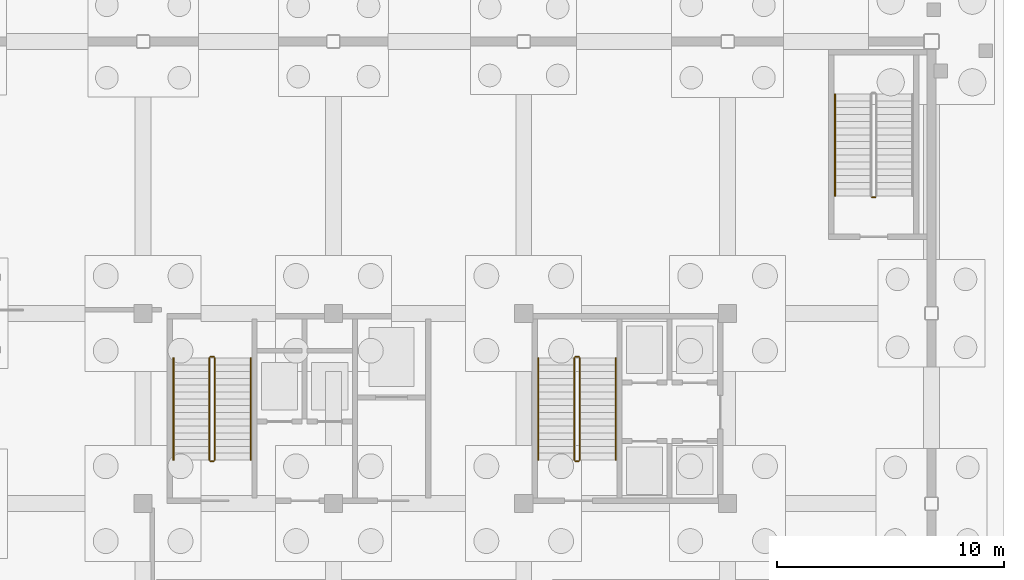
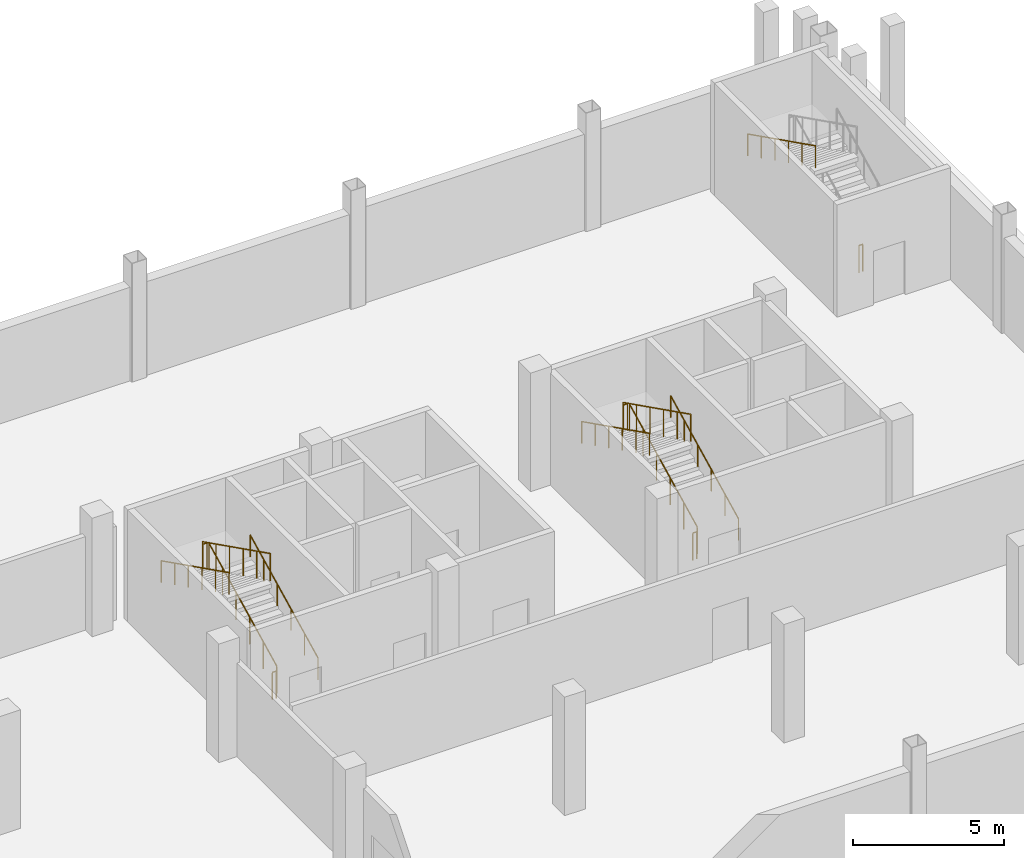
# One storey, part 42 of 44: 14 railings.
"""IFC4 building model written with IfcOpenShell, lengths in metres."""

from ifc_helpers import new_model, si_unit, direction, frame, origin, origin_2d, place, context, subcontext, project, spatial, circle, extrude, material, layer, layer_set, type_object, element, save


model = new_model("IFC4")

# Units and contexts
model_context = context("Model", 3, precision=1e-05, world=origin(), true_north=direction((0.0, 1.0)))
body_context = subcontext(model_context, "Body", "Model", "MODEL_VIEW")
ifc_project = project(units=[si_unit("LENGTHUNIT", "METRE"), si_unit("AREAUNIT", "SQUARE_METRE"), si_unit("VOLUMEUNIT", "CUBIC_METRE"), si_unit("PLANEANGLEUNIT", "RADIAN"), si_unit("MASSUNIT", "GRAM", prefix="KILO")], contexts=[model_context])

# Site, building, storey
site_placement = place(None, origin())
site = spatial("IfcSite", under=ifc_project, at=site_placement, CompositionType="ELEMENT")
building_placement = place(site_placement, origin())
building = spatial("IfcBuilding", under=site, at=building_placement, Name="Yukiwa Park Conservatory and Herbarium", CompositionType="ELEMENT")
storey_placement = place(building_placement, frame((0.0, 0.0, -4.800048828125)))
storey = spatial("IfcBuildingStorey", under=building, at=storey_placement, Name="B1", CompositionType="ELEMENT", Elevation=-4.800048828125)

# Railings
ifc_material_1 = material(Name="Steel Q235B", Category="steel")
ifc_layer_1 = layer(ifc_material_1, 0.050048828125)
ifc_layer_set_1 = layer_set([ifc_layer_1], Name="Steel Q235B")
railing_type_1 = type_object("IfcRailingType", Name="RL-STAIR-GUARD-1120", PredefinedType="BALUSTRADE", material=ifc_layer_set_1)
railing_1_placement = place(storey_placement, frame((136.3701171875, 96.72998046875, 0.150146484375)))
element("IfcRailing", 1, at=railing_1_placement, inside=storey, type_object=railing_type_1, Name="B1 ST-T1 stair guard 1", PredefinedType="BALUSTRADE", context=body_context, shape_type="SweptSolid", body=[
    extrude(circle(Radius=0.02392578125, at=origin_2d()), frame((0.0, 0.0, 1.09619140625), z_axis=(0.0, 0.894427191, 0.4472135955), x_axis=(-1.0, 0.0, 0.0)), (0.0, 0.0, 1.0), 5.03125),
    extrude(circle(Radius=0.02099609375, at=origin_2d()), origin(), (0.0, 0.0, 1.0), 1.072021484375),
    extrude(circle(Radius=0.02099609375, at=origin_2d()), frame((0.0, 0.89990234375, 0.449951171875)), (0.0, 0.0, 1.0), 1.072021484375),
    extrude(circle(Radius=0.02099609375, at=origin_2d()), frame((0.0, 1.800048828125, 0.89990234375)), (0.0, 0.0, 1.0), 1.072021484375),
    extrude(circle(Radius=0.02099609375, at=origin_2d()), frame((0.0, 2.699951171875, 1.35009765625)), (0.0, 0.0, 1.0), 1.072021484375),
    extrude(circle(Radius=0.02099609375, at=origin_2d()), frame((0.0, 3.60009765625, 1.800048828125)), (0.0, 0.0, 1.0), 1.072021484375),
    extrude(circle(Radius=0.02099609375, at=origin_2d()), frame((0.0, 4.5, 2.25)), (0.0, 0.0, 1.0), 1.072021484375),
])
railing_2_placement = place(storey_placement, frame((136.320068359375, 101.280029296875, 2.400146484375)))
element("IfcRailing", 2, at=railing_2_placement, inside=storey, type_object=railing_type_1, Name="B1 ST-T1 stair guard 2", PredefinedType="BALUSTRADE", context=body_context, shape_type="SweptSolid", body=[
    extrude(circle(Radius=0.02392578125, at=origin_2d()), frame((0.0, 0.0, 1.09619140625), z_axis=(-1.0, 0.0, 0.0), x_axis=(0.0, -1.0, 0.0)), (0.0, 0.0, 1.0), 0.150146484375),
    extrude(circle(Radius=0.02099609375, at=origin_2d()), origin(), (0.0, 0.0, 1.0), 1.072021484375),
    extrude(circle(Radius=0.02099609375, at=origin_2d()), frame((-0.150146484375, 0.0, 0.0)), (0.0, 0.0, 1.0), 1.072021484375),
])
railing_3_placement = place(storey_placement, frame((136.1201171875, 101.22998046875, 2.550048828125)))
element("IfcRailing", 3, at=railing_3_placement, inside=storey, type_object=railing_type_1, Name="B1 ST-T1 stair guard 3", PredefinedType="BALUSTRADE", context=body_context, shape_type="SweptSolid", body=[
    extrude(circle(Radius=0.02392578125, at=origin_2d()), frame((0.0, 0.0, 1.09619140625), z_axis=(0.0, -0.894427191, 0.4472135955), x_axis=(1.0, 0.0, 0.0)), (0.0, 0.0, 1.0), 5.03125),
    extrude(circle(Radius=0.02099609375, at=origin_2d()), origin(), (0.0, 0.0, 1.0), 1.072021484375),
    extrude(circle(Radius=0.02099609375, at=origin_2d()), frame((0.0, -0.89990234375, 0.449951171875)), (0.0, 0.0, 1.0), 1.072021484375),
    extrude(circle(Radius=0.02099609375, at=origin_2d()), frame((0.0, -1.800048828125, 0.89990234375)), (0.0, 0.0, 1.0), 1.072021484375),
    extrude(circle(Radius=0.02099609375, at=origin_2d()), frame((0.0, -2.699951171875, 1.35009765625)), (0.0, 0.0, 1.0), 1.072021484375),
    extrude(circle(Radius=0.02099609375, at=origin_2d()), frame((0.0, -3.60009765625, 1.800048828125)), (0.0, 0.0, 1.0), 1.072021484375),
    extrude(circle(Radius=0.02099609375, at=origin_2d()), frame((0.0, -4.5, 2.25)), (0.0, 0.0, 1.0), 1.072021484375),
])
railing_4_placement = place(storey_placement, frame((136.320068359375, 96.679931640625, 0.0)))
element("IfcRailing", 4, at=railing_4_placement, inside=storey, type_object=railing_type_1, Name="B1 ST-T1 stair guard 4", PredefinedType="BALUSTRADE", context=body_context, shape_type="SweptSolid", body=[
    extrude(circle(Radius=0.02392578125, at=origin_2d()), frame((0.0, 0.0, 1.09619140625), z_axis=(-1.0, 0.0, 0.0), x_axis=(0.0, -1.0, 0.0)), (0.0, 0.0, 1.0), 0.150146484375),
    extrude(circle(Radius=0.02099609375, at=origin_2d()), origin(), (0.0, 0.0, 1.0), 1.072021484375),
    extrude(circle(Radius=0.02099609375, at=origin_2d()), frame((-0.150146484375, 0.0, 0.0)), (0.0, 0.0, 1.0), 1.072021484375),
])
railing_5_placement = place(storey_placement, frame((152.47998046875, 96.72998046875, 0.150146484375)))
element("IfcRailing", 5, at=railing_5_placement, inside=storey, type_object=railing_type_1, Name="B1 ST-T2 stair guard 1", PredefinedType="BALUSTRADE", context=body_context, shape_type="SweptSolid", body=[
    extrude(circle(Radius=0.02392578125, at=origin_2d()), frame((0.0, 0.0, 1.09619140625), z_axis=(0.0, 0.894427191, 0.4472135955), x_axis=(-1.0, 0.0, 0.0)), (0.0, 0.0, 1.0), 5.03125),
    extrude(circle(Radius=0.02099609375, at=origin_2d()), origin(), (0.0, 0.0, 1.0), 1.072021484375),
    extrude(circle(Radius=0.02099609375, at=origin_2d()), frame((0.0, 0.89990234375, 0.449951171875)), (0.0, 0.0, 1.0), 1.072021484375),
    extrude(circle(Radius=0.02099609375, at=origin_2d()), frame((0.0, 1.800048828125, 0.89990234375)), (0.0, 0.0, 1.0), 1.072021484375),
    extrude(circle(Radius=0.02099609375, at=origin_2d()), frame((0.0, 2.699951171875, 1.35009765625)), (0.0, 0.0, 1.0), 1.072021484375),
    extrude(circle(Radius=0.02099609375, at=origin_2d()), frame((0.0, 3.60009765625, 1.800048828125)), (0.0, 0.0, 1.0), 1.072021484375),
    extrude(circle(Radius=0.02099609375, at=origin_2d()), frame((0.0, 4.5, 2.25)), (0.0, 0.0, 1.0), 1.072021484375),
])
railing_6_placement = place(storey_placement, frame((152.429931640625, 101.280029296875, 2.400146484375)))
element("IfcRailing", 6, at=railing_6_placement, inside=storey, type_object=railing_type_1, Name="B1 ST-T2 stair guard 2", PredefinedType="BALUSTRADE", context=body_context, shape_type="SweptSolid", body=[
    extrude(circle(Radius=0.02392578125, at=origin_2d()), frame((0.0, 0.0, 1.09619140625), z_axis=(-1.0, 0.0, 0.0), x_axis=(0.0, -1.0, 0.0)), (0.0, 0.0, 1.0), 0.14990234375),
    extrude(circle(Radius=0.02099609375, at=origin_2d()), origin(), (0.0, 0.0, 1.0), 1.072021484375),
    extrude(circle(Radius=0.02099609375, at=origin_2d()), frame((-0.14990234375, 0.0, 0.0)), (0.0, 0.0, 1.0), 1.072021484375),
])
railing_7_placement = place(storey_placement, frame((152.22998046875, 101.22998046875, 2.550048828125)))
element("IfcRailing", 7, at=railing_7_placement, inside=storey, type_object=railing_type_1, Name="B1 ST-T2 stair guard 3", PredefinedType="BALUSTRADE", context=body_context, shape_type="SweptSolid", body=[
    extrude(circle(Radius=0.02392578125, at=origin_2d()), frame((0.0, 0.0, 1.09619140625), z_axis=(0.0, -0.894427191, 0.4472135955), x_axis=(1.0, 0.0, 0.0)), (0.0, 0.0, 1.0), 5.03125),
    extrude(circle(Radius=0.02099609375, at=origin_2d()), origin(), (0.0, 0.0, 1.0), 1.072021484375),
    extrude(circle(Radius=0.02099609375, at=origin_2d()), frame((0.0, -0.89990234375, 0.449951171875)), (0.0, 0.0, 1.0), 1.072021484375),
    extrude(circle(Radius=0.02099609375, at=origin_2d()), frame((0.0, -1.800048828125, 0.89990234375)), (0.0, 0.0, 1.0), 1.072021484375),
    extrude(circle(Radius=0.02099609375, at=origin_2d()), frame((0.0, -2.699951171875, 1.35009765625)), (0.0, 0.0, 1.0), 1.072021484375),
    extrude(circle(Radius=0.02099609375, at=origin_2d()), frame((0.0, -3.60009765625, 1.800048828125)), (0.0, 0.0, 1.0), 1.072021484375),
    extrude(circle(Radius=0.02099609375, at=origin_2d()), frame((0.0, -4.5, 2.25)), (0.0, 0.0, 1.0), 1.072021484375),
])
for number, where, name in (
    (8, (152.429931640625, 96.679931640625, 0.0), "B1 ST-T2 stair guard 4"),
    (9, (165.52001953125, 108.330078125, 0.0), "B1 ST-T3 stair guard 4"),
):
    element("IfcRailing", number, at=place(storey_placement, frame(where)), inside=storey, type_object=railing_type_1, Name=name, PredefinedType="BALUSTRADE", context=body_context, shape_type="SweptSolid", body=[
        extrude(circle(Radius=0.02392578125, at=origin_2d()), frame((0.0, 0.0, 1.09619140625), z_axis=(-1.0, 0.0, 0.0), x_axis=(0.0, -1.0, 0.0)), (0.0, 0.0, 1.0), 0.14990234375),
        extrude(circle(Radius=0.02099609375, at=origin_2d()), origin(), (0.0, 0.0, 1.0), 1.072021484375),
        extrude(circle(Radius=0.02099609375, at=origin_2d()), frame((-0.14990234375, 0.0, 0.0)), (0.0, 0.0, 1.0), 1.072021484375),
    ])
ifc_material_2 = material(Name="Steel Q235B", Category="steel")
ifc_layer_2 = layer(ifc_material_2, 0.044921875)
ifc_layer_set_2 = layer_set([ifc_layer_2], Name="Steel Q235B")
railing_type_2 = type_object("IfcRailingType", Name="RL-STAIR-RAIL-900", PredefinedType="HANDRAIL", material=ifc_layer_set_2)
railing_8_placement = place(storey_placement, frame((137.949951171875, 96.72998046875, 0.150146484375)))
element("IfcRailing", 10, at=railing_8_placement, inside=storey, type_object=railing_type_2, Name="B1 ST-T1 stair handrail 1", PredefinedType="HANDRAIL", context=body_context, shape_type="SweptSolid", body=[
    extrude(circle(Radius=0.02392578125, at=origin_2d()), frame((0.0, 0.0, 0.8759765625), z_axis=(0.0, 0.894427191, 0.4472135955), x_axis=(-1.0, 0.0, 0.0)), (0.0, 0.0, 1.0), 5.03125),
    extrude(circle(Radius=0.02099609375, at=origin_2d()), origin(), (0.0, 0.0, 1.0), 0.851806640625),
    extrude(circle(Radius=0.02099609375, at=origin_2d()), frame((0.0, 0.89990234375, 0.449951171875)), (0.0, 0.0, 1.0), 0.851806640625),
    extrude(circle(Radius=0.02099609375, at=origin_2d()), frame((0.0, 1.800048828125, 0.89990234375)), (0.0, 0.0, 1.0), 0.851806640625),
    extrude(circle(Radius=0.02099609375, at=origin_2d()), frame((0.0, 2.699951171875, 1.35009765625)), (0.0, 0.0, 1.0), 0.851806640625),
    extrude(circle(Radius=0.02099609375, at=origin_2d()), frame((0.0, 3.60009765625, 1.800048828125)), (0.0, 0.0, 1.0), 0.851806640625),
    extrude(circle(Radius=0.02099609375, at=origin_2d()), frame((0.0, 4.5, 2.25)), (0.0, 0.0, 1.0), 0.851806640625),
])
railing_9_placement = place(storey_placement, frame((134.5400390625, 101.22998046875, 2.550048828125)))
element("IfcRailing", 11, at=railing_9_placement, inside=storey, type_object=railing_type_2, Name="B1 ST-T1 stair handrail 2", PredefinedType="HANDRAIL", context=body_context, shape_type="SweptSolid", body=[
    extrude(circle(Radius=0.02392578125, at=origin_2d()), frame((0.0, 0.0, 0.8759765625), z_axis=(0.0, -0.894427191, 0.4472135955), x_axis=(1.0, 0.0, 0.0)), (0.0, 0.0, 1.0), 5.03125),
    extrude(circle(Radius=0.02099609375, at=origin_2d()), origin(), (0.0, 0.0, 1.0), 0.851806640625),
    extrude(circle(Radius=0.02099609375, at=origin_2d()), frame((0.0, -0.89990234375, 0.449951171875)), (0.0, 0.0, 1.0), 0.851806640625),
    extrude(circle(Radius=0.02099609375, at=origin_2d()), frame((0.0, -1.800048828125, 0.89990234375)), (0.0, 0.0, 1.0), 0.851806640625),
    extrude(circle(Radius=0.02099609375, at=origin_2d()), frame((0.0, -2.699951171875, 1.35009765625)), (0.0, 0.0, 1.0), 0.851806640625),
    extrude(circle(Radius=0.02099609375, at=origin_2d()), frame((0.0, -3.60009765625, 1.800048828125)), (0.0, 0.0, 1.0), 0.851806640625),
    extrude(circle(Radius=0.02099609375, at=origin_2d()), frame((0.0, -4.5, 2.25)), (0.0, 0.0, 1.0), 0.851806640625),
])
railing_10_placement = place(storey_placement, frame((154.06005859375, 96.72998046875, 0.150146484375)))
element("IfcRailing", 12, at=railing_10_placement, inside=storey, type_object=railing_type_2, Name="B1 ST-T2 stair handrail 1", PredefinedType="HANDRAIL", context=body_context, shape_type="SweptSolid", body=[
    extrude(circle(Radius=0.02392578125, at=origin_2d()), frame((0.0, 0.0, 0.8759765625), z_axis=(0.0, 0.894427191, 0.4472135955), x_axis=(-1.0, 0.0, 0.0)), (0.0, 0.0, 1.0), 5.03125),
    extrude(circle(Radius=0.02099609375, at=origin_2d()), origin(), (0.0, 0.0, 1.0), 0.851806640625),
    extrude(circle(Radius=0.02099609375, at=origin_2d()), frame((0.0, 0.89990234375, 0.449951171875)), (0.0, 0.0, 1.0), 0.851806640625),
    extrude(circle(Radius=0.02099609375, at=origin_2d()), frame((0.0, 1.800048828125, 0.89990234375)), (0.0, 0.0, 1.0), 0.851806640625),
    extrude(circle(Radius=0.02099609375, at=origin_2d()), frame((0.0, 2.699951171875, 1.35009765625)), (0.0, 0.0, 1.0), 0.851806640625),
    extrude(circle(Radius=0.02099609375, at=origin_2d()), frame((0.0, 3.60009765625, 1.800048828125)), (0.0, 0.0, 1.0), 0.851806640625),
    extrude(circle(Radius=0.02099609375, at=origin_2d()), frame((0.0, 4.5, 2.25)), (0.0, 0.0, 1.0), 0.851806640625),
])
for number, where, name in (
    (13, (150.64990234375, 101.22998046875, 2.550048828125), "B1 ST-T2 stair handrail 2"),
    (14, (163.739990234375, 112.8798828125, 2.550048828125), "B1 ST-T3 stair handrail 2"),
):
    element("IfcRailing", number, at=place(storey_placement, frame(where)), inside=storey, type_object=railing_type_2, Name=name, PredefinedType="HANDRAIL", context=body_context, shape_type="SweptSolid", body=[
        extrude(circle(Radius=0.02392578125, at=origin_2d()), frame((0.0, 0.0, 0.8759765625), z_axis=(0.0, -0.894427191, 0.4472135955), x_axis=(1.0, 0.0, 0.0)), (0.0, 0.0, 1.0), 5.03125),
        extrude(circle(Radius=0.02099609375, at=origin_2d()), origin(), (0.0, 0.0, 1.0), 0.851806640625),
        extrude(circle(Radius=0.02099609375, at=origin_2d()), frame((0.0, -0.89990234375, 0.449951171875)), (0.0, 0.0, 1.0), 0.851806640625),
        extrude(circle(Radius=0.02099609375, at=origin_2d()), frame((0.0, -1.800048828125, 0.89990234375)), (0.0, 0.0, 1.0), 0.851806640625),
        extrude(circle(Radius=0.02099609375, at=origin_2d()), frame((0.0, -2.699951171875, 1.35009765625)), (0.0, 0.0, 1.0), 0.851806640625),
        extrude(circle(Radius=0.02099609375, at=origin_2d()), frame((0.0, -3.60009765625, 1.800048828125)), (0.0, 0.0, 1.0), 0.851806640625),
        extrude(circle(Radius=0.02099609375, at=origin_2d()), frame((0.0, -4.5, 2.25)), (0.0, 0.0, 1.0), 0.851806640625),
    ])

save(model, "model.ifc")
